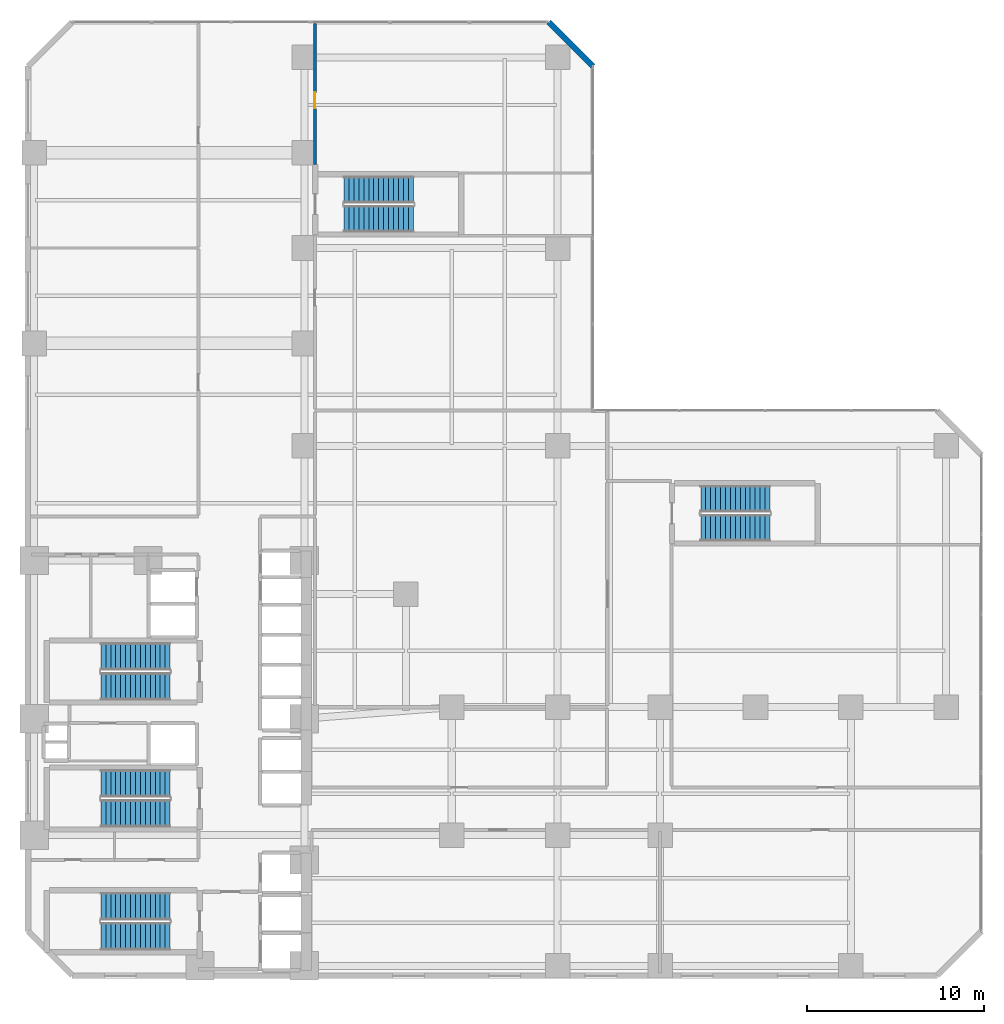
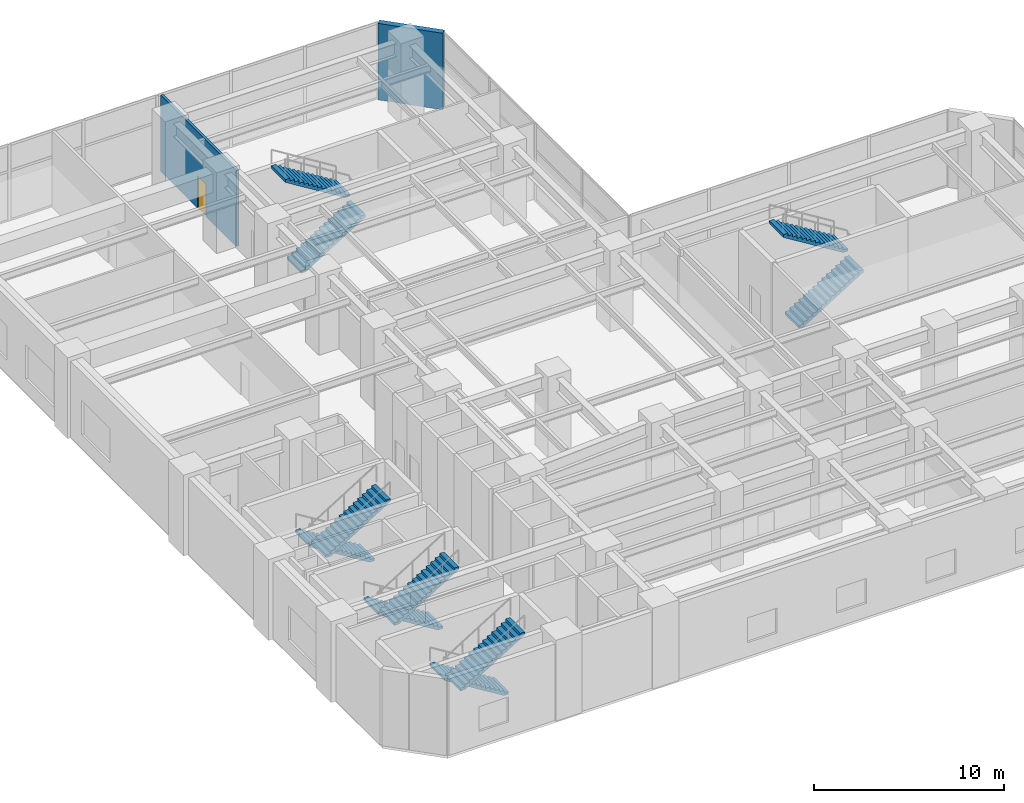
# One storey, part 17 of 22: 10 stair flights, 2 walls, 1 door, 1 opening, 5 elements without a shape of their own.
"""IFC4 building model written with IfcOpenShell, lengths in metres."""

from ifc_helpers import new_model, si_unit, direction, frame, frame_2d, origin, place, context, subcontext, project, spatial, polyline, rectangle, outline, extrude, material, layer, layer_set, type_object, element, fill, aggregate, save


model = new_model("IFC4")

# Units and contexts
model_context = context("Model", 3, precision=1e-05, world=origin(), true_north=direction((0.0, 1.0)))
body_context = subcontext(model_context, "Body", "Model", "MODEL_VIEW")
ifc_project = project(units=[si_unit("LENGTHUNIT", "METRE"), si_unit("AREAUNIT", "SQUARE_METRE"), si_unit("VOLUMEUNIT", "CUBIC_METRE"), si_unit("PLANEANGLEUNIT", "RADIAN"), si_unit("MASSUNIT", "GRAM", prefix="KILO")], contexts=[model_context])

# Site, building, storey
site_placement = place(None, origin())
site = spatial("IfcSite", under=ifc_project, at=site_placement, CompositionType="ELEMENT")
building_placement = place(site_placement, origin())
building = spatial("IfcBuilding", under=site, at=building_placement, Name="Mawjaban Terraces University", CompositionType="ELEMENT")
storey_placement = place(building_placement, frame((0.0, 0.0, 10.39990234375)))
storey = spatial("IfcBuildingStorey", under=building, at=storey_placement, Name="L02", CompositionType="ELEMENT", Elevation=10.39990234375)

# Wall, opening, door
ifc_material_1 = material(Name="Fire-rated gypsum board on steel stud", Category="steel")
ifc_layer_1 = layer(ifc_material_1, 0.159912109375)
ifc_layer_set_1 = layer_set([ifc_layer_1], Name="Fire-rated gypsum board on steel stud")
wall_type_1 = type_object("IfcWallType", Name="CorridorPartition_160", PredefinedType="PARTITIONING", material=ifc_layer_set_1)
wall_1_placement = place(storey_placement, frame((38.25, 45.919921875, 0.0), z_axis=(0.0, 0.0, 1.0), x_axis=(0.0, 1.0, 0.0)))
wall_1 = element("IfcWall", 1, at=wall_1_placement, inside=storey, type_object=wall_type_1, Name="L02 Podium Library Concourse Partition 36", PredefinedType="PARTITIONING", context=body_context, shape_type="SweptSolid", body=[
    extrude(rectangle(XDim=7.989990234375, YDim=0.159912109375, at=frame_2d((3.9951171875, 0.0))), origin(), (0.0, 0.0, 1.0), 4.920166015625),
])
opening_placement = place(wall_1_placement, frame((3.195068359375, 0.0, 0.0)))
opening = element("IfcOpeningElement", 2, at=opening_placement, cuts=wall_1, Name="Opening ID-090", PredefinedType="OPENING", context=body_context, shape_type="SweptSolid", body=[
    extrude(rectangle(XDim=0.89990234375, YDim=2.10009765625, at=frame_2d((0.449951171875, 1.050048828125))), frame((0.0, 0.08984375, 0.0), z_axis=(0.0, -1.0, 0.0), x_axis=(1.0, 0.0, 0.0)), (0.0, 0.0, 1.0), 0.179931640625),
])
ifc_material_2 = material(Name="Powder-coated steel frame and solid acoustic timber leaf", Category="steel")
door_type = type_object("IfcDoorType", Name="OfficeDoor_900x2100", OperationType="NOTDEFINED", PredefinedType="DOOR", material=ifc_material_2)
door_placement = place(opening_placement, origin())
door = element("IfcDoor", 3, at=door_placement, inside=storey, type_object=door_type, Name="L02 Special Collections Study Room Door", OperationType="SINGLE_SWING_LEFT", OverallHeight=2.10009765625, OverallWidth=0.89990234375, PredefinedType="DOOR", context=body_context, shape_type="SweptSolid", body=[
    extrude(rectangle(XDim=0.89990234375, YDim=2.10009765625, at=frame_2d((0.449951171875, 1.050048828125))), frame((0.0, 0.02490234375, 0.0), z_axis=(0.0, -1.0, 0.0), x_axis=(1.0, 0.0, 0.0)), (0.0, 0.0, 1.0), 0.050048828125),
])
fill(opening, door)

# Wall
ifc_material_3 = material(Name="Insulated terracotta rainscreen on concrete backup C40/50", Category="masonry")
ifc_layer_2 = layer(ifc_material_3, 0.320068359375)
ifc_layer_set_2 = layer_set([ifc_layer_2], Name="Insulated terracotta rainscreen on concrete backup C40/50")
wall_type_2 = type_object("IfcWallType", Name="ExtTerracottaWall_320", PredefinedType="SOLIDWALL", material=ifc_layer_set_2)
wall_2_placement = place(storey_placement, frame((54.0, 51.5, 0.0), z_axis=(0.0, 0.0, 1.0), x_axis=(-0.707106781187, 0.707106781187, 0.0)))
element("IfcWall", 4, at=wall_2_placement, inside=storey, type_object=wall_type_2, Name="L02 Exterior Terracotta Wall 7", PredefinedType="SOLIDWALL", context=body_context, shape_type="SweptSolid", body=[
    extrude(rectangle(XDim=3.53564453125, YDim=0.320068359375, at=frame_2d((1.767822265625, 0.0))), origin(), (0.0, 0.0, 1.0), 4.920166015625),
])

# Stair, stair flights
ifc_material_4 = material(Name="Concrete C40/50", Category="concrete")
stair_type_1 = type_object("IfcStairType", Name="Stair_Core1550_H52", PredefinedType="HALF_TURN_STAIR", material=ifc_material_4)
stair_1_placement = place(storey_placement, origin())
stair_1 = element("IfcStair", 5, at=stair_1_placement, inside=storey, type_object=stair_type_1, Name="L02 Core Exit Stair 1", PredefinedType="HALF_TURN_STAIR")
stair_flight_type_1 = type_object("IfcStairFlightType", Name="Flight_Core1550_H52", PredefinedType="STRAIGHT", material=ifc_material_4)
stair_flight_1_placement = place(storey_placement, frame((30.050048828125, 3.925048828125, 0.0), z_axis=(0.0, 0.0, 1.0), x_axis=(-1.0, 0.0, 0.0)))
stair_flight_1 = element("IfcStairFlight", 6, at=stair_flight_1_placement, type_object=stair_flight_type_1, Name="ST-1 flight 1", NumberOfRisers=15, NumberOfTreads=14, PredefinedType="STRAIGHT", RiserHeight=0.173333333, TreadLength=0.28, context=body_context, shape_type="SweptSolid", body=[
    extrude(outline(polyline([(0.0, 0.0), (0.0, 0.17333984375), (0.280029296875, 0.17333984375), (0.280029296875, 0.3466796875), (0.56005859375, 0.3466796875), (0.56005859375, 0.52001953125), (0.840087890625, 0.52001953125), (0.840087890625, 0.693359375), (1.1201171875, 0.693359375), (1.1201171875, 0.86669921875), (1.39990234375, 0.86669921875), (1.39990234375, 1.0400390625), (1.679931640625, 1.0400390625), (1.679931640625, 1.21337890625), (1.9599609375, 1.21337890625), (1.9599609375, 1.38671875), (2.239990234375, 1.38671875), (2.239990234375, 1.56005859375), (2.52001953125, 1.56005859375), (2.52001953125, 1.7333984375), (2.800048828125, 1.7333984375), (2.800048828125, 1.90673828125), (3.080078125, 1.90673828125), (3.080078125, 2.080078125), (3.360107421875, 2.080078125), (3.360107421875, 2.25341796875), (3.639892578125, 2.25341796875), (3.639892578125, 2.4267578125), (3.919921875, 2.4267578125), (3.919921875, 2.60009765625), (3.919921875, 2.250244140625), (0.284912109375, 0.0), (0.0, 0.0)])), frame((0.0, 0.77490234375, 0.0), z_axis=(0.0, -1.0, 0.0), x_axis=(1.0, 0.0, 0.0)), (0.0, 0.0, 1.0), 1.550048828125),
])
stair_flight_2_placement = place(storey_placement, frame((26.1298828125, 2.22509765625, 2.60009765625), z_axis=(0.0, 0.0, 1.0), x_axis=(1.0, 0.0, 0.0)))
stair_flight_2 = element("IfcStairFlight", 7, at=stair_flight_2_placement, type_object=stair_flight_type_1, Name="ST-1 flight 2", NumberOfRisers=15, NumberOfTreads=14, PredefinedType="STRAIGHT", RiserHeight=0.173333333, TreadLength=0.28, context=body_context, shape_type="SweptSolid", body=[
    extrude(outline(polyline([(0.0, 0.0), (0.0, 0.17333984375), (0.280029296875, 0.17333984375), (0.280029296875, 0.3466796875), (0.56005859375, 0.3466796875), (0.56005859375, 0.52001953125), (0.840087890625, 0.52001953125), (0.840087890625, 0.693359375), (1.1201171875, 0.693359375), (1.1201171875, 0.86669921875), (1.39990234375, 0.86669921875), (1.39990234375, 1.0400390625), (1.679931640625, 1.0400390625), (1.679931640625, 1.21337890625), (1.9599609375, 1.21337890625), (1.9599609375, 1.38671875), (2.239990234375, 1.38671875), (2.239990234375, 1.56005859375), (2.52001953125, 1.56005859375), (2.52001953125, 1.7333984375), (2.800048828125, 1.7333984375), (2.800048828125, 1.90673828125), (3.080078125, 1.90673828125), (3.080078125, 2.080078125), (3.360107421875, 2.080078125), (3.360107421875, 2.25341796875), (3.639892578125, 2.25341796875), (3.639892578125, 2.4267578125), (3.919921875, 2.4267578125), (3.919921875, 2.60009765625), (3.919921875, 2.250244140625), (0.284912109375, 0.0), (0.0, 0.0)])), frame((0.0, 0.77490234375, 0.0), z_axis=(0.0, -1.0, 0.0), x_axis=(1.0, 0.0, 0.0)), (0.0, 0.0, 1.0), 1.550048828125),
])
aggregate(stair_1, [stair_flight_1, stair_flight_2])

stair_2_placement = place(storey_placement, origin())
stair_2 = element("IfcStair", 8, at=stair_2_placement, inside=storey, type_object=stair_type_1, Name="L02 Core Exit Stair 2", PredefinedType="HALF_TURN_STAIR")
stair_flight_3_placement = place(storey_placement, frame((30.050048828125, 18.074951171875, 0.0), z_axis=(0.0, 0.0, 1.0), x_axis=(-1.0, 0.0, 0.0)))
stair_flight_3 = element("IfcStairFlight", 9, at=stair_flight_3_placement, type_object=stair_flight_type_1, Name="ST-2 flight 1", NumberOfRisers=15, NumberOfTreads=14, PredefinedType="STRAIGHT", RiserHeight=0.173333333, TreadLength=0.28, context=body_context, shape_type="SweptSolid", body=[
    extrude(outline(polyline([(0.0, 0.0), (0.0, 0.17333984375), (0.280029296875, 0.17333984375), (0.280029296875, 0.3466796875), (0.56005859375, 0.3466796875), (0.56005859375, 0.52001953125), (0.840087890625, 0.52001953125), (0.840087890625, 0.693359375), (1.1201171875, 0.693359375), (1.1201171875, 0.86669921875), (1.39990234375, 0.86669921875), (1.39990234375, 1.0400390625), (1.679931640625, 1.0400390625), (1.679931640625, 1.21337890625), (1.9599609375, 1.21337890625), (1.9599609375, 1.38671875), (2.239990234375, 1.38671875), (2.239990234375, 1.56005859375), (2.52001953125, 1.56005859375), (2.52001953125, 1.7333984375), (2.800048828125, 1.7333984375), (2.800048828125, 1.90673828125), (3.080078125, 1.90673828125), (3.080078125, 2.080078125), (3.360107421875, 2.080078125), (3.360107421875, 2.25341796875), (3.639892578125, 2.25341796875), (3.639892578125, 2.4267578125), (3.919921875, 2.4267578125), (3.919921875, 2.60009765625), (3.919921875, 2.250244140625), (0.284912109375, 0.0), (0.0, 0.0)])), frame((0.0, 0.77490234375, 0.0), z_axis=(0.0, -1.0, 0.0), x_axis=(1.0, 0.0, 0.0)), (0.0, 0.0, 1.0), 1.550048828125),
])
stair_flight_4_placement = place(storey_placement, frame((26.1298828125, 16.375, 2.60009765625), z_axis=(0.0, 0.0, 1.0), x_axis=(1.0, 0.0, 0.0)))
stair_flight_4 = element("IfcStairFlight", 10, at=stair_flight_4_placement, type_object=stair_flight_type_1, Name="ST-2 flight 2", NumberOfRisers=15, NumberOfTreads=14, PredefinedType="STRAIGHT", RiserHeight=0.173333333, TreadLength=0.28, context=body_context, shape_type="SweptSolid", body=[
    extrude(outline(polyline([(0.0, 0.0), (0.0, 0.17333984375), (0.280029296875, 0.17333984375), (0.280029296875, 0.3466796875), (0.56005859375, 0.3466796875), (0.56005859375, 0.52001953125), (0.840087890625, 0.52001953125), (0.840087890625, 0.693359375), (1.1201171875, 0.693359375), (1.1201171875, 0.86669921875), (1.39990234375, 0.86669921875), (1.39990234375, 1.0400390625), (1.679931640625, 1.0400390625), (1.679931640625, 1.21337890625), (1.9599609375, 1.21337890625), (1.9599609375, 1.38671875), (2.239990234375, 1.38671875), (2.239990234375, 1.56005859375), (2.52001953125, 1.56005859375), (2.52001953125, 1.7333984375), (2.800048828125, 1.7333984375), (2.800048828125, 1.90673828125), (3.080078125, 1.90673828125), (3.080078125, 2.080078125), (3.360107421875, 2.080078125), (3.360107421875, 2.25341796875), (3.639892578125, 2.25341796875), (3.639892578125, 2.4267578125), (3.919921875, 2.4267578125), (3.919921875, 2.60009765625), (3.919921875, 2.250244140625), (0.284912109375, 0.0), (0.0, 0.0)])), frame((0.0, 0.77490234375, 0.0), z_axis=(0.0, -1.0, 0.0), x_axis=(1.0, 0.0, 0.0)), (0.0, 0.0, 1.0), 1.550048828125),
])
aggregate(stair_2, [stair_flight_3, stair_flight_4])

stair_3_placement = place(storey_placement, origin())
stair_3 = element("IfcStair", 11, at=stair_3_placement, inside=storey, type_object=stair_type_1, Name="L02 Core Exit Stair 3", PredefinedType="HALF_TURN_STAIR")
stair_flight_5_placement = place(storey_placement, frame((30.050048828125, 10.875, 0.0), z_axis=(0.0, 0.0, 1.0), x_axis=(-1.0, 0.0, 0.0)))
stair_flight_5 = element("IfcStairFlight", 12, at=stair_flight_5_placement, type_object=stair_flight_type_1, Name="ST-3 flight 1", NumberOfRisers=15, NumberOfTreads=14, PredefinedType="STRAIGHT", RiserHeight=0.173333333, TreadLength=0.28, context=body_context, shape_type="SweptSolid", body=[
    extrude(outline(polyline([(0.0, 0.0), (0.0, 0.17333984375), (0.280029296875, 0.17333984375), (0.280029296875, 0.3466796875), (0.56005859375, 0.3466796875), (0.56005859375, 0.52001953125), (0.840087890625, 0.52001953125), (0.840087890625, 0.693359375), (1.1201171875, 0.693359375), (1.1201171875, 0.86669921875), (1.39990234375, 0.86669921875), (1.39990234375, 1.0400390625), (1.679931640625, 1.0400390625), (1.679931640625, 1.21337890625), (1.9599609375, 1.21337890625), (1.9599609375, 1.38671875), (2.239990234375, 1.38671875), (2.239990234375, 1.56005859375), (2.52001953125, 1.56005859375), (2.52001953125, 1.7333984375), (2.800048828125, 1.7333984375), (2.800048828125, 1.90673828125), (3.080078125, 1.90673828125), (3.080078125, 2.080078125), (3.360107421875, 2.080078125), (3.360107421875, 2.25341796875), (3.639892578125, 2.25341796875), (3.639892578125, 2.4267578125), (3.919921875, 2.4267578125), (3.919921875, 2.60009765625), (3.919921875, 2.250244140625), (0.284912109375, 0.0), (0.0, 0.0)])), frame((0.0, 0.77490234375, 0.0), z_axis=(0.0, -1.0, 0.0), x_axis=(1.0, 0.0, 0.0)), (0.0, 0.0, 1.0), 1.550048828125),
])
stair_flight_6_placement = place(storey_placement, frame((26.1298828125, 9.175048828125, 2.60009765625), z_axis=(0.0, 0.0, 1.0), x_axis=(1.0, 0.0, 0.0)))
stair_flight_6 = element("IfcStairFlight", 13, at=stair_flight_6_placement, type_object=stair_flight_type_1, Name="ST-3 flight 2", NumberOfRisers=15, NumberOfTreads=14, PredefinedType="STRAIGHT", RiserHeight=0.173333333, TreadLength=0.28, context=body_context, shape_type="SweptSolid", body=[
    extrude(outline(polyline([(0.0, 0.0), (0.0, 0.17333984375), (0.280029296875, 0.17333984375), (0.280029296875, 0.3466796875), (0.56005859375, 0.3466796875), (0.56005859375, 0.52001953125), (0.840087890625, 0.52001953125), (0.840087890625, 0.693359375), (1.1201171875, 0.693359375), (1.1201171875, 0.86669921875), (1.39990234375, 0.86669921875), (1.39990234375, 1.0400390625), (1.679931640625, 1.0400390625), (1.679931640625, 1.21337890625), (1.9599609375, 1.21337890625), (1.9599609375, 1.38671875), (2.239990234375, 1.38671875), (2.239990234375, 1.56005859375), (2.52001953125, 1.56005859375), (2.52001953125, 1.7333984375), (2.800048828125, 1.7333984375), (2.800048828125, 1.90673828125), (3.080078125, 1.90673828125), (3.080078125, 2.080078125), (3.360107421875, 2.080078125), (3.360107421875, 2.25341796875), (3.639892578125, 2.25341796875), (3.639892578125, 2.4267578125), (3.919921875, 2.4267578125), (3.919921875, 2.60009765625), (3.919921875, 2.250244140625), (0.284912109375, 0.0), (0.0, 0.0)])), frame((0.0, 0.77490234375, 0.0), z_axis=(0.0, -1.0, 0.0), x_axis=(1.0, 0.0, 0.0)), (0.0, 0.0, 1.0), 1.550048828125),
])
aggregate(stair_3, [stair_flight_5, stair_flight_6])

stair_type_2 = type_object("IfcStairType", Name="Stair_Pod1500_H52", PredefinedType="HALF_TURN_STAIR", material=ifc_material_4)
stair_4_placement = place(storey_placement, origin())
stair_4 = element("IfcStair", 14, at=stair_4_placement, inside=storey, type_object=stair_type_2, Name="L02 Podium North Exit Stair 4", PredefinedType="HALF_TURN_STAIR")
stair_flight_type_2 = type_object("IfcStairFlightType", Name="Flight_Pod1500_H52", PredefinedType="STRAIGHT", material=ifc_material_4)
stair_flight_7_placement = place(storey_placement, frame((39.89990234375, 42.85009765625, 0.0), z_axis=(0.0, 0.0, 1.0), x_axis=(1.0, 0.0, 0.0)))
stair_flight_7 = element("IfcStairFlight", 15, at=stair_flight_7_placement, type_object=stair_flight_type_2, Name="ST-4 flight 1", NumberOfRisers=15, NumberOfTreads=14, PredefinedType="STRAIGHT", RiserHeight=0.173333333, TreadLength=0.28, context=body_context, shape_type="SweptSolid", body=[
    extrude(outline(polyline([(0.0, 0.0), (0.0, 0.17333984375), (0.280029296875, 0.17333984375), (0.280029296875, 0.3466796875), (0.56005859375, 0.3466796875), (0.56005859375, 0.52001953125), (0.840087890625, 0.52001953125), (0.840087890625, 0.693359375), (1.1201171875, 0.693359375), (1.1201171875, 0.86669921875), (1.39990234375, 0.86669921875), (1.39990234375, 1.0400390625), (1.679931640625, 1.0400390625), (1.679931640625, 1.21337890625), (1.9599609375, 1.21337890625), (1.9599609375, 1.38671875), (2.239990234375, 1.38671875), (2.239990234375, 1.56005859375), (2.52001953125, 1.56005859375), (2.52001953125, 1.7333984375), (2.800048828125, 1.7333984375), (2.800048828125, 1.90673828125), (3.080078125, 1.90673828125), (3.080078125, 2.080078125), (3.360107421875, 2.080078125), (3.360107421875, 2.25341796875), (3.639892578125, 2.25341796875), (3.639892578125, 2.4267578125), (3.919921875, 2.4267578125), (3.919921875, 2.60009765625), (3.919921875, 2.250244140625), (0.284912109375, 0.0), (0.0, 0.0)])), frame((0.0, 0.75, 0.0), z_axis=(0.0, -1.0, 0.0), x_axis=(1.0, 0.0, 0.0)), (0.0, 0.0, 1.0), 1.5),
])
stair_flight_8_placement = place(storey_placement, frame((43.820068359375, 44.5, 2.60009765625), z_axis=(0.0, 0.0, 1.0), x_axis=(-1.0, 0.0, 0.0)))
stair_flight_8 = element("IfcStairFlight", 16, at=stair_flight_8_placement, type_object=stair_flight_type_2, Name="ST-4 flight 2", NumberOfRisers=15, NumberOfTreads=14, PredefinedType="STRAIGHT", RiserHeight=0.173333333, TreadLength=0.28, context=body_context, shape_type="SweptSolid", body=[
    extrude(outline(polyline([(0.0, 0.0), (0.0, 0.17333984375), (0.280029296875, 0.17333984375), (0.280029296875, 0.3466796875), (0.56005859375, 0.3466796875), (0.56005859375, 0.52001953125), (0.840087890625, 0.52001953125), (0.840087890625, 0.693359375), (1.1201171875, 0.693359375), (1.1201171875, 0.86669921875), (1.39990234375, 0.86669921875), (1.39990234375, 1.0400390625), (1.679931640625, 1.0400390625), (1.679931640625, 1.21337890625), (1.9599609375, 1.21337890625), (1.9599609375, 1.38671875), (2.239990234375, 1.38671875), (2.239990234375, 1.56005859375), (2.52001953125, 1.56005859375), (2.52001953125, 1.7333984375), (2.800048828125, 1.7333984375), (2.800048828125, 1.90673828125), (3.080078125, 1.90673828125), (3.080078125, 2.080078125), (3.360107421875, 2.080078125), (3.360107421875, 2.25341796875), (3.639892578125, 2.25341796875), (3.639892578125, 2.4267578125), (3.919921875, 2.4267578125), (3.919921875, 2.60009765625), (3.919921875, 2.250244140625), (0.284912109375, 0.0), (0.0, 0.0)])), frame((0.0, 0.75, 0.0), z_axis=(0.0, -1.0, 0.0), x_axis=(1.0, 0.0, 0.0)), (0.0, 0.0, 1.0), 1.5),
])
aggregate(stair_4, [stair_flight_7, stair_flight_8])

stair_5_placement = place(storey_placement, origin())
stair_5 = element("IfcStair", 17, at=stair_5_placement, inside=storey, type_object=stair_type_2, Name="L02 Podium East Exit Stair 5", PredefinedType="HALF_TURN_STAIR")
stair_flight_9_placement = place(storey_placement, frame((60.10009765625, 25.35009765625, 0.0), z_axis=(0.0, 0.0, 1.0), x_axis=(1.0, 0.0, 0.0)))
stair_flight_9 = element("IfcStairFlight", 18, at=stair_flight_9_placement, type_object=stair_flight_type_2, Name="ST-5 flight 1", NumberOfRisers=15, NumberOfTreads=14, PredefinedType="STRAIGHT", RiserHeight=0.173333333, TreadLength=0.28, context=body_context, shape_type="SweptSolid", body=[
    extrude(outline(polyline([(0.0, 0.0), (0.0, 0.17333984375), (0.280029296875, 0.17333984375), (0.280029296875, 0.3466796875), (0.56005859375, 0.3466796875), (0.56005859375, 0.52001953125), (0.840087890625, 0.52001953125), (0.840087890625, 0.693359375), (1.1201171875, 0.693359375), (1.1201171875, 0.86669921875), (1.39990234375, 0.86669921875), (1.39990234375, 1.0400390625), (1.679931640625, 1.0400390625), (1.679931640625, 1.21337890625), (1.9599609375, 1.21337890625), (1.9599609375, 1.38671875), (2.239990234375, 1.38671875), (2.239990234375, 1.56005859375), (2.52001953125, 1.56005859375), (2.52001953125, 1.7333984375), (2.800048828125, 1.7333984375), (2.800048828125, 1.90673828125), (3.080078125, 1.90673828125), (3.080078125, 2.080078125), (3.360107421875, 2.080078125), (3.360107421875, 2.25341796875), (3.639892578125, 2.25341796875), (3.639892578125, 2.4267578125), (3.919921875, 2.4267578125), (3.919921875, 2.60009765625), (3.919921875, 2.250244140625), (0.284912109375, 0.0), (0.0, 0.0)])), frame((0.0, 0.75, 0.0), z_axis=(0.0, -1.0, 0.0), x_axis=(1.0, 0.0, 0.0)), (0.0, 0.0, 1.0), 1.5),
])
stair_flight_10_placement = place(storey_placement, frame((64.02001953125, 27.0, 2.60009765625), z_axis=(0.0, 0.0, 1.0), x_axis=(-1.0, 0.0, 0.0)))
stair_flight_10 = element("IfcStairFlight", 19, at=stair_flight_10_placement, type_object=stair_flight_type_2, Name="ST-5 flight 2", NumberOfRisers=15, NumberOfTreads=14, PredefinedType="STRAIGHT", RiserHeight=0.173333333, TreadLength=0.28, context=body_context, shape_type="SweptSolid", body=[
    extrude(outline(polyline([(0.0, 0.0), (0.0, 0.17333984375), (0.280029296875, 0.17333984375), (0.280029296875, 0.3466796875), (0.56005859375, 0.3466796875), (0.56005859375, 0.52001953125), (0.840087890625, 0.52001953125), (0.840087890625, 0.693359375), (1.1201171875, 0.693359375), (1.1201171875, 0.86669921875), (1.39990234375, 0.86669921875), (1.39990234375, 1.0400390625), (1.679931640625, 1.0400390625), (1.679931640625, 1.21337890625), (1.9599609375, 1.21337890625), (1.9599609375, 1.38671875), (2.239990234375, 1.38671875), (2.239990234375, 1.56005859375), (2.52001953125, 1.56005859375), (2.52001953125, 1.7333984375), (2.800048828125, 1.7333984375), (2.800048828125, 1.90673828125), (3.080078125, 1.90673828125), (3.080078125, 2.080078125), (3.360107421875, 2.080078125), (3.360107421875, 2.25341796875), (3.639892578125, 2.25341796875), (3.639892578125, 2.4267578125), (3.919921875, 2.4267578125), (3.919921875, 2.60009765625), (3.919921875, 2.250244140625), (0.284912109375, 0.0), (0.0, 0.0)])), frame((0.0, 0.75, 0.0), z_axis=(0.0, -1.0, 0.0), x_axis=(1.0, 0.0, 0.0)), (0.0, 0.0, 1.0), 1.5),
])
aggregate(stair_5, [stair_flight_9, stair_flight_10])

save(model, "model.ifc")
